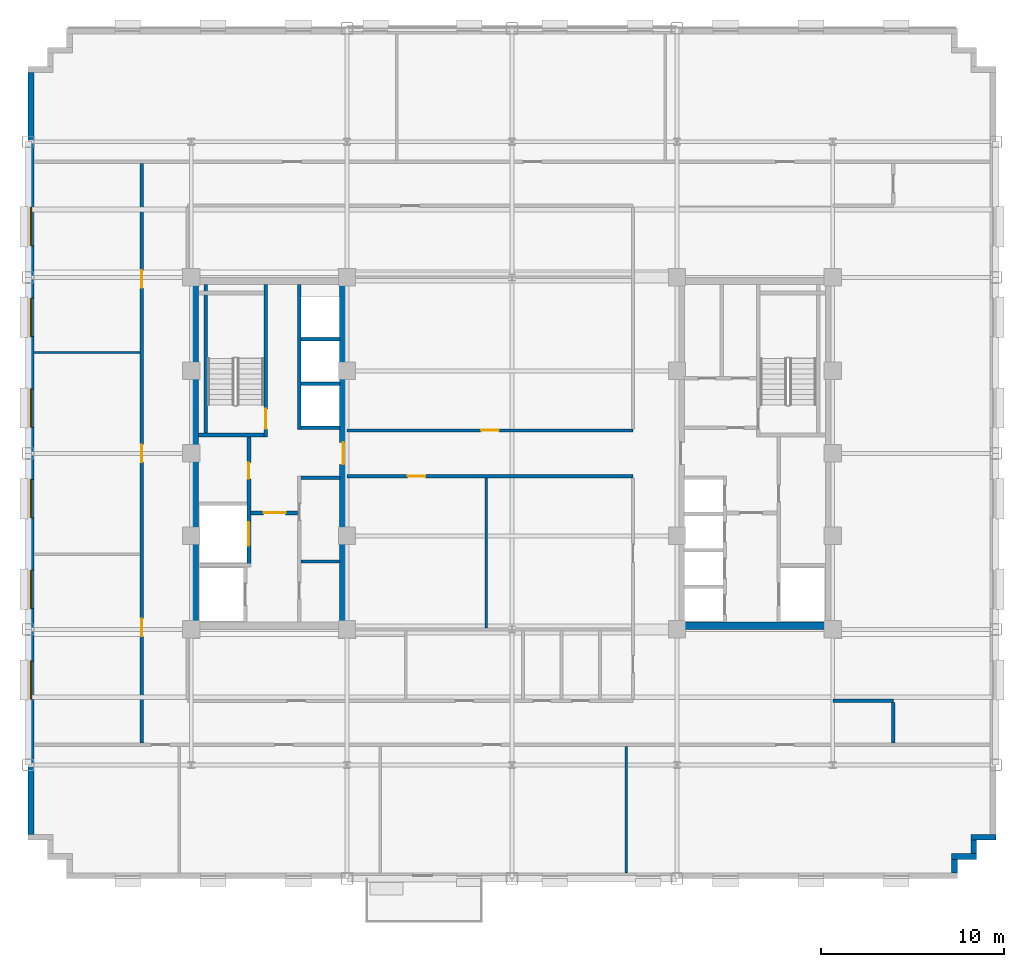
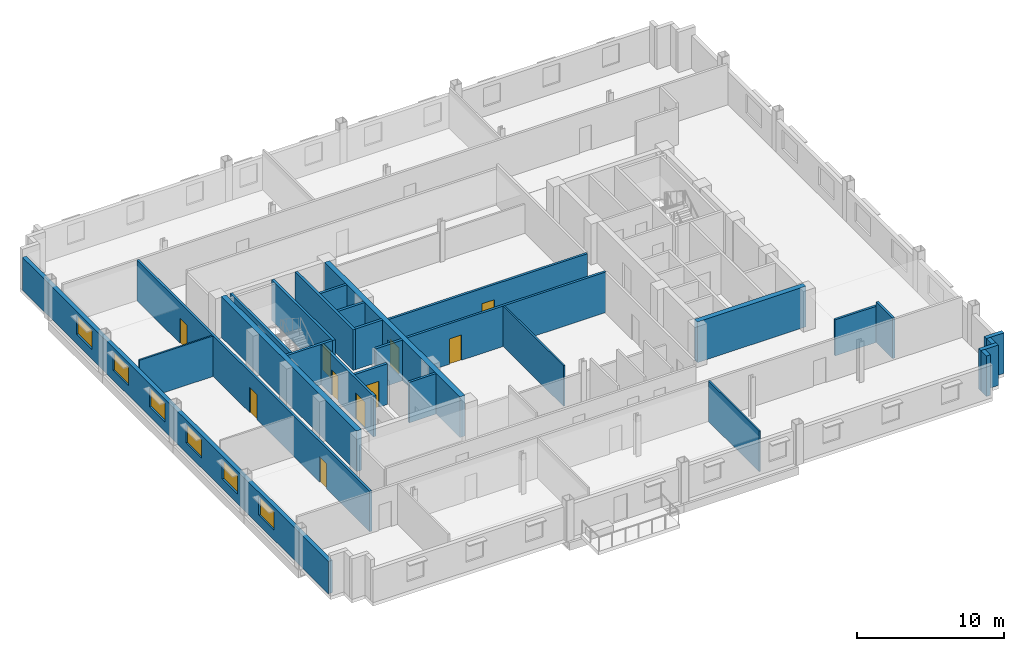
# One storey, part 7 of 13: 27 walls, 10 doors, 6 windows, 16 openings.
"""IFC4 building model written with IfcOpenShell, lengths in metres."""

from ifc_helpers import new_model, si_unit, direction, frame, frame_2d, origin, place, context, subcontext, project, spatial, rectangle, extrude, source, transform, mapped, material, layer, layer_set, type_object, type_shapes, element, fill, save


model = new_model("IFC4")

# Units and contexts
model_context = context("Model", 3, precision=1e-05, world=origin(), true_north=direction((0.0, 1.0)))
body_context = subcontext(model_context, "Body", "Model", "MODEL_VIEW")
ifc_project = project(units=[si_unit("LENGTHUNIT", "METRE"), si_unit("AREAUNIT", "SQUARE_METRE"), si_unit("VOLUMEUNIT", "CUBIC_METRE"), si_unit("PLANEANGLEUNIT", "RADIAN"), si_unit("MASSUNIT", "GRAM", prefix="KILO")], contexts=[model_context])

# Site, building, storey
site_placement = place(None, origin())
site = spatial("IfcSite", under=ifc_project, at=site_placement, CompositionType="ELEMENT")
building_placement = place(site_placement, origin())
building = spatial("IfcBuilding", under=site, at=building_placement, Name="Nuvemarco Arch Tower", CompositionType="ELEMENT")
storey_placement = place(building_placement, frame((0.0, 0.0, 156.699951171875)))
storey = spatial("IfcBuildingStorey", under=building, at=storey_placement, Name="L41", CompositionType="ELEMENT", Elevation=156.699951171875)

# Walls
ifc_material_1 = material(Name="Precast concrete C45/55", Category="concrete")
ifc_layer_1 = layer(ifc_material_1, 0.320068359375, Name="EW-MID-320")
ifc_layer_set_1 = layer_set([ifc_layer_1], Name="Precast concrete C45/55")
wall_type_1 = type_object("IfcWallType", Name="EW-MID-320", PredefinedType="STANDARD", material=ifc_layer_set_1)
wall_1_placement = place(storey_placement, frame((24.139892578125, -22.884033203125, 0.0), z_axis=(0.0, 0.0, 1.0), x_axis=(0.0, 1.0, 0.0)))
element("IfcWall", 1, at=wall_1_placement, inside=storey, type_object=wall_type_1, Name="L41 exterior precast facade wall 2", PredefinedType="STANDARD", context=body_context, shape_type="SweptSolid", body=[
    extrude(rectangle(XDim=0.738037109375, YDim=0.320068359375, at=frame_2d((0.369140625, 0.0))), origin(), (0.0, 0.0, 1.0), 3.360107421875),
])
wall_2_placement = place(storey_placement, frame((23.97998046875, -21.989990234375, 0.0), z_axis=(0.0, 0.0, 1.0), x_axis=(1.0, 0.0, 0.0)))
element("IfcWall", 2, at=wall_2_placement, inside=storey, type_object=wall_type_1, Name="L41 exterior precast facade wall 3", PredefinedType="STANDARD", context=body_context, shape_type="SweptSolid", body=[
    extrude(rectangle(XDim=1.3701171875, YDim=0.320068359375, at=frame_2d((0.68505859375, 0.0))), origin(), (0.0, 0.0, 1.0), 3.360107421875),
])
wall_3_placement = place(storey_placement, frame((25.18994140625, -21.833984375, 0.0), z_axis=(0.0, 0.0, 1.0), x_axis=(0.0, 1.0, 0.0)))
element("IfcWall", 3, at=wall_3_placement, inside=storey, type_object=wall_type_1, Name="L41 exterior precast facade wall 4", PredefinedType="STANDARD", context=body_context, shape_type="SweptSolid", body=[
    extrude(rectangle(XDim=0.738037109375, YDim=0.320068359375, at=frame_2d((0.369140625, 0.0))), origin(), (0.0, 0.0, 1.0), 3.360107421875),
])
wall_4_placement = place(storey_placement, frame((25.030029296875, -20.93994140625, 0.0), z_axis=(0.0, 0.0, 1.0), x_axis=(1.0, 0.0, 0.0)))
element("IfcWall", 4, at=wall_4_placement, inside=storey, type_object=wall_type_1, Name="L41 exterior precast facade wall 5", PredefinedType="STANDARD", context=body_context, shape_type="SweptSolid", body=[
    extrude(rectangle(XDim=1.369873046875, YDim=0.320068359375, at=frame_2d((0.68505859375, 0.0))), origin(), (0.0, 0.0, 1.0), 3.360107421875),
])

# Wall, openings, windows
wall_5_placement = place(storey_placement, frame((-26.239990234375, -20.783935546875, 0.0), z_axis=(0.0, 0.0, 1.0), x_axis=(0.0, 1.0, 0.0)))
wall_5 = element("IfcWall", 5, at=wall_5_placement, inside=storey, type_object=wall_type_1, Name="L41 exterior precast facade wall 16", PredefinedType="STANDARD", context=body_context, shape_type="SweptSolid", body=[
    extrude(rectangle(XDim=41.56787109375, YDim=0.320068359375, at=frame_2d((20.783935546875, 0.0))), origin(), (0.0, 0.0, 1.0), 2.705078125),
])
opening_1_placement = place(wall_5_placement, frame((7.368896484375, 0.0, 0.800048828125)))
opening_1 = element("IfcOpeningElement", 6, at=opening_1_placement, cuts=wall_5, Name="Opening WN-5", PredefinedType="OPENING", context=body_context, shape_type="SweptSolid", body=[
    extrude(rectangle(XDim=2.10009765625, YDim=1.56005859375, at=frame_2d((1.050048828125, 0.780029296875))), frame((0.0, 0.169921875, 0.0), z_axis=(0.0, -1.0, 0.0), x_axis=(1.0, 0.0, 0.0)), (0.0, 0.0, 1.0), 0.340087890625),
])
opening_2_placement = place(wall_5_placement, frame((12.31494140625, 0.0, 0.800048828125)))
opening_2 = element("IfcOpeningElement", 7, at=opening_2_placement, cuts=wall_5, Name="Opening WN-5", PredefinedType="OPENING", context=body_context, shape_type="SweptSolid", body=[
    extrude(rectangle(XDim=2.10009765625, YDim=1.56005859375, at=frame_2d((1.050048828125, 0.780029296875))), frame((0.0, 0.169921875, 0.0), z_axis=(0.0, -1.0, 0.0), x_axis=(1.0, 0.0, 0.0)), (0.0, 0.0, 1.0), 0.340087890625),
])
opening_3_placement = place(wall_5_placement, frame((17.260986328125, 0.0, 0.800048828125)))
opening_3 = element("IfcOpeningElement", 8, at=opening_3_placement, cuts=wall_5, Name="Opening WN-5", PredefinedType="OPENING", context=body_context, shape_type="SweptSolid", body=[
    extrude(rectangle(XDim=2.10009765625, YDim=1.56005859375, at=frame_2d((1.050048828125, 0.780029296875))), frame((0.0, 0.169921875, 0.0), z_axis=(0.0, -1.0, 0.0), x_axis=(1.0, 0.0, 0.0)), (0.0, 0.0, 1.0), 0.340087890625),
])
opening_4_placement = place(wall_5_placement, frame((22.20703125, 0.0, 0.800048828125)))
opening_4 = element("IfcOpeningElement", 9, at=opening_4_placement, cuts=wall_5, Name="Opening WN-5", PredefinedType="OPENING", context=body_context, shape_type="SweptSolid", body=[
    extrude(rectangle(XDim=2.10009765625, YDim=1.56005859375, at=frame_2d((1.050048828125, 0.780029296875))), frame((0.0, 0.169921875, 0.0), z_axis=(0.0, -1.0, 0.0), x_axis=(1.0, 0.0, 0.0)), (0.0, 0.0, 1.0), 0.340087890625),
])
opening_5_placement = place(wall_5_placement, frame((27.153076171875, 0.0, 0.800048828125)))
opening_5 = element("IfcOpeningElement", 10, at=opening_5_placement, cuts=wall_5, Name="Opening WN-5", PredefinedType="OPENING", context=body_context, shape_type="SweptSolid", body=[
    extrude(rectangle(XDim=2.10009765625, YDim=1.56005859375, at=frame_2d((1.050048828125, 0.780029296875))), frame((0.0, 0.169921875, 0.0), z_axis=(0.0, -1.0, 0.0), x_axis=(1.0, 0.0, 0.0)), (0.0, 0.0, 1.0), 0.340087890625),
])
opening_6_placement = place(wall_5_placement, frame((32.09912109375, 0.0, 0.800048828125)))
opening_6 = element("IfcOpeningElement", 11, at=opening_6_placement, cuts=wall_5, Name="Opening WN-5", PredefinedType="OPENING", context=body_context, shape_type="SweptSolid", body=[
    extrude(rectangle(XDim=2.10009765625, YDim=1.56005859375, at=frame_2d((1.050048828125, 0.780029296875))), frame((0.0, 0.169921875, 0.0), z_axis=(0.0, -1.0, 0.0), x_axis=(1.0, 0.0, 0.0)), (0.0, 0.0, 1.0), 0.340087890625),
])
ifc_material_2 = material(Name="Insulated solar-control glass", Category="glass")
window_type = type_object("IfcWindowType", Name="WN-MID-2100x1560", PartitioningType="DOUBLE_PANEL_VERTICAL", PredefinedType="WINDOW", material=ifc_material_2)
shared_shape_1 = source(origin(), body_context, "Body", "SweptSolid", [
    extrude(rectangle(XDim=2.10009765625, YDim=1.56005859375, at=frame_2d((1.050048828125, 0.780029296875))), frame((0.0, 0.030029296875, 0.0), z_axis=(0.0, -1.0, 0.0), x_axis=(1.0, 0.0, 0.0)), (0.0, 0.0, 1.0), 0.06005859375),
])
type_shapes(window_type, [shared_shape_1])
window_1_placement = place(opening_1_placement, origin())
window_1 = element("IfcWindow", 12, at=window_1_placement, inside=storey, type_object=window_type, Name="L41 punched facade window 2", OverallHeight=1.56005859375, OverallWidth=2.10009765625, PartitioningType="SINGLE_PANEL", PredefinedType="WINDOW", context=body_context, shape_type="MappedRepresentation", body=[
    mapped(shared_shape_1, transform((0.0, 0.0, 0.0), scale=1.0)),
])
fill(opening_1, window_1)
window_2_placement = place(opening_2_placement, origin())
window_2 = element("IfcWindow", 13, at=window_2_placement, inside=storey, type_object=window_type, Name="L41 punched facade window 3", OverallHeight=1.56005859375, OverallWidth=2.10009765625, PartitioningType="SINGLE_PANEL", PredefinedType="WINDOW", context=body_context, shape_type="MappedRepresentation", body=[
    mapped(shared_shape_1, transform((0.0, 0.0, 0.0), scale=1.0)),
])
fill(opening_2, window_2)
window_3_placement = place(opening_3_placement, origin())
window_3 = element("IfcWindow", 14, at=window_3_placement, inside=storey, type_object=window_type, Name="L41 punched facade window 4", OverallHeight=1.56005859375, OverallWidth=2.10009765625, PartitioningType="SINGLE_PANEL", PredefinedType="WINDOW", context=body_context, shape_type="MappedRepresentation", body=[
    mapped(shared_shape_1, transform((0.0, 0.0, 0.0), scale=1.0)),
])
fill(opening_3, window_3)
window_4_placement = place(opening_4_placement, origin())
window_4 = element("IfcWindow", 15, at=window_4_placement, inside=storey, type_object=window_type, Name="L41 punched facade window 5", OverallHeight=1.56005859375, OverallWidth=2.10009765625, PartitioningType="SINGLE_PANEL", PredefinedType="WINDOW", context=body_context, shape_type="MappedRepresentation", body=[
    mapped(shared_shape_1, transform((0.0, 0.0, 0.0), scale=1.0)),
])
fill(opening_4, window_4)
window_5_placement = place(opening_5_placement, origin())
window_5 = element("IfcWindow", 16, at=window_5_placement, inside=storey, type_object=window_type, Name="L41 punched facade window 6", OverallHeight=1.56005859375, OverallWidth=2.10009765625, PartitioningType="SINGLE_PANEL", PredefinedType="WINDOW", context=body_context, shape_type="MappedRepresentation", body=[
    mapped(shared_shape_1, transform((0.0, 0.0, 0.0), scale=1.0)),
])
fill(opening_5, window_5)
window_6_placement = place(opening_6_placement, origin())
window_6 = element("IfcWindow", 17, at=window_6_placement, inside=storey, type_object=window_type, Name="L41 punched facade window 7", OverallHeight=1.56005859375, OverallWidth=2.10009765625, PartitioningType="SINGLE_PANEL", PredefinedType="WINDOW", context=body_context, shape_type="MappedRepresentation", body=[
    mapped(shared_shape_1, transform((0.0, 0.0, 0.0), scale=1.0)),
])
fill(opening_6, window_6)

# Wall
ifc_material_3 = material(Name="Concrete C60/75", Category="concrete")
ifc_layer_2 = layer(ifc_material_3, 0.39990234375, Name="WL-CORE-400")
ifc_layer_set_2 = layer_set([ifc_layer_2], Name="Concrete C60/75")
wall_type_2 = type_object("IfcWallType", Name="WL-CORE-400", PredefinedType="SHEAR", material=ifc_layer_set_2)
wall_6_placement = place(storey_placement, frame((-17.300048828125, -9.205078125, 0.0), z_axis=(0.0, 0.0, 1.0), x_axis=(0.0, 1.0, 0.0)))
element("IfcWall", 18, at=wall_6_placement, inside=storey, type_object=wall_type_2, Name="L41 W-core shear wall W", PredefinedType="SHEAR", context=body_context, shape_type="SweptSolid", body=[
    extrude(rectangle(XDim=18.41015625, YDim=0.39990234375, at=frame_2d((9.205078125, 0.0))), origin(), (0.0, 0.0, 1.0), 3.3701171875),
])

# Wall, opening, door
wall_7_placement = place(storey_placement, frame((-9.199951171875, -9.205078125, 0.0), z_axis=(0.0, 0.0, 1.0), x_axis=(0.0, 1.0, 0.0)))
wall_7 = element("IfcWall", 19, at=wall_7_placement, inside=storey, type_object=wall_type_2, Name="L41 W-core shear wall E", PredefinedType="SHEAR", context=body_context, shape_type="SweptSolid", body=[
    extrude(rectangle(XDim=18.41015625, YDim=0.39990234375, at=frame_2d((9.205078125, 0.0))), origin(), (0.0, 0.0, 1.0), 3.3701171875),
])
opening_7_placement = place(wall_7_placement, frame((8.60498046875, 0.0, 0.0)))
opening_7 = element("IfcOpeningElement", 20, at=opening_7_placement, cuts=wall_7, Name="Opening FD-2", PredefinedType="OPENING", context=body_context, shape_type="SweptSolid", body=[
    extrude(rectangle(XDim=1.199951171875, YDim=2.14990234375, at=frame_2d((0.60009765625, 1.074951171875))), frame((0.0, 0.2099609375, 0.0), z_axis=(0.0, -1.0, 0.0), x_axis=(1.0, 0.0, 0.0)), (0.0, 0.0, 1.0), 0.419921875),
])
ifc_material_4 = material(Name="Anodised steel fire door", Category="steel")
door_type_1 = type_object("IfcDoorType", Name="DR-FFLOB-FD", OperationType="NOTDEFINED", PredefinedType="DOOR", material=ifc_material_4)
shared_shape_2 = source(origin(), body_context, "Body", "SweptSolid", [
    extrude(rectangle(XDim=1.199951171875, YDim=2.14990234375, at=frame_2d((0.60009765625, 1.074951171875))), frame((0.0, 0.02490234375, 0.0), z_axis=(0.0, -1.0, 0.0), x_axis=(1.0, 0.0, 0.0)), (0.0, 0.0, 1.0), 0.050048828125),
])
type_shapes(door_type_1, [shared_shape_2])
door_1_placement = place(opening_7_placement, origin())
door_1 = element("IfcDoor", 21, at=door_1_placement, inside=storey, type_object=door_type_1, Name="L41 door FD-L41-WCORE-E", OperationType="SINGLE_SWING_LEFT", OverallHeight=2.14990234375, OverallWidth=1.199951171875, PredefinedType="DOOR", context=body_context, shape_type="MappedRepresentation", body=[
    mapped(shared_shape_2, transform((0.0, 0.0, 0.0), scale=1.0)),
])
fill(opening_7, door_1)

# Walls
wall_8_placement = place(storey_placement, frame((9.0, -9.39990234375, 0.0), z_axis=(0.0, 0.0, 1.0), x_axis=(1.0, 0.0, 0.0)))
element("IfcWall", 22, at=wall_8_placement, inside=storey, type_object=wall_type_2, Name="L41 E-core shear wall S", PredefinedType="SHEAR", context=body_context, shape_type="SweptSolid", body=[
    extrude(rectangle(XDim=8.5, YDim=0.39990234375, at=frame_2d((4.25, 0.0))), origin(), (0.0, 0.0, 1.0), 3.3701171875),
])
ifc_material_5 = material(Name="Fire-rated gypsum drywall partition")
ifc_layer_3 = layer(ifc_material_5, 0.179931640625, Name="WL-CORR-180")
ifc_layer_set_3 = layer_set([ifc_layer_3], Name="Fire-rated gypsum drywall partition")
wall_type_3 = type_object("IfcWallType", Name="WL-CORR-180", PredefinedType="PARTITIONING", material=ifc_layer_set_3)
wall_9_placement = place(storey_placement, frame((-11.5048828125, -5.89990234375, 0.0), z_axis=(0.0, 0.0, 1.0), x_axis=(1.0, 0.0, 0.0)))
element("IfcWall", 23, at=wall_9_placement, inside=storey, type_object=wall_type_3, Name="L41 interior wall IW-L41-W-RECK3", PredefinedType="PARTITIONING", context=body_context, shape_type="SweptSolid", body=[
    extrude(rectangle(XDim=2.10986328125, YDim=0.179931640625, at=frame_2d((1.054931640625, 0.0))), origin(), (0.0, 0.0, 1.0), 3.360107421875),
])
wall_10_placement = place(storey_placement, frame((17.5, -13.5, 0.0), z_axis=(0.0, 0.0, 1.0), x_axis=(1.0, 0.0, 0.0)))
element("IfcWall", 24, at=wall_10_placement, inside=storey, type_object=wall_type_3, Name="L41 interior wall IW-L41-003", PredefinedType="PARTITIONING", context=body_context, shape_type="SweptSolid", body=[
    extrude(rectangle(XDim=3.300048828125, YDim=0.179931640625, at=frame_2d((1.64990234375, 0.0))), origin(), (0.0, 0.0, 1.0), 2.998046875),
])

# Wall, opening, door
wall_11_placement = place(storey_placement, frame((-9.0, -1.25, 0.0), z_axis=(0.0, 0.0, 1.0), x_axis=(1.0, 0.0, 0.0)))
wall_11 = element("IfcWall", 25, at=wall_11_placement, inside=storey, type_object=wall_type_3, Name="L41 interior wall IW-L41-007", PredefinedType="PARTITIONING", context=body_context, shape_type="SweptSolid", body=[
    extrude(rectangle(XDim=15.60009765625, YDim=0.179931640625, at=frame_2d((7.800048828125, 0.0))), origin(), (0.0, 0.0, 1.0), 3.360107421875),
])
opening_8_placement = place(wall_11_placement, frame((3.320068359375, 0.0, 0.0)))
opening_8 = element("IfcOpeningElement", 26, at=opening_8_placement, cuts=wall_11, Name="Opening FD-5", PredefinedType="OPENING", context=body_context, shape_type="SweptSolid", body=[
    extrude(rectangle(XDim=0.9599609375, YDim=2.10009765625, at=frame_2d((0.47998046875, 1.050048828125))), frame((0.0, 0.099853515625, 0.0), z_axis=(0.0, -1.0, 0.0), x_axis=(1.0, 0.0, 0.0)), (0.0, 0.0, 1.0), 0.199951171875),
])
ifc_material_6 = material(Name="Timber fire door", Category="wood")
door_type_2 = type_object("IfcDoorType", Name="DR-CORR-FD", OperationType="NOTDEFINED", PredefinedType="DOOR", material=ifc_material_6)
shared_shape_3 = source(origin(), body_context, "Body", "SweptSolid", [
    extrude(rectangle(XDim=0.9599609375, YDim=2.10009765625, at=frame_2d((0.47998046875, 1.050048828125))), frame((0.0, 0.02490234375, 0.0), z_axis=(0.0, -1.0, 0.0), x_axis=(1.0, 0.0, 0.0)), (0.0, 0.0, 1.0), 0.050048828125),
])
type_shapes(door_type_2, [shared_shape_3])
door_2_placement = place(opening_8_placement, origin())
door_2 = element("IfcDoor", 27, at=door_2_placement, inside=storey, type_object=door_type_2, Name="L41 door DR-L41-C_S1", OperationType="SINGLE_SWING_LEFT", OverallHeight=2.10009765625, OverallWidth=0.9599609375, PredefinedType="DOOR", context=body_context, shape_type="MappedRepresentation", body=[
    mapped(shared_shape_3, transform((0.0, 0.0, 0.0), scale=1.0)),
])
fill(opening_8, door_2)

wall_12_placement = place(storey_placement, frame((-9.0, 1.25, 0.0), z_axis=(0.0, 0.0, 1.0), x_axis=(1.0, 0.0, 0.0)))
wall_12 = element("IfcWall", 28, at=wall_12_placement, inside=storey, type_object=wall_type_3, Name="L41 interior wall IW-L41-008", PredefinedType="PARTITIONING", context=body_context, shape_type="SweptSolid", body=[
    extrude(rectangle(XDim=15.60009765625, YDim=0.179931640625, at=frame_2d((7.800048828125, 0.0))), origin(), (0.0, 0.0, 1.0), 3.360107421875),
])
opening_9_placement = place(wall_12_placement, frame((7.320068359375, 0.0, 0.0)))
opening_9 = element("IfcOpeningElement", 29, at=opening_9_placement, cuts=wall_12, Name="Opening FD-5", PredefinedType="OPENING", context=body_context, shape_type="SweptSolid", body=[
    extrude(rectangle(XDim=0.9599609375, YDim=2.10009765625, at=frame_2d((0.47998046875, 1.050048828125))), frame((0.0, 0.099853515625, 0.0), z_axis=(0.0, -1.0, 0.0), x_axis=(1.0, 0.0, 0.0)), (0.0, 0.0, 1.0), 0.199951171875),
])
door_3_placement = place(opening_9_placement, origin())
door_3 = element("IfcDoor", 30, at=door_3_placement, inside=storey, type_object=door_type_2, Name="L41 door DR-L41-C_N1", OperationType="SINGLE_SWING_LEFT", OverallHeight=2.10009765625, OverallWidth=0.9599609375, PredefinedType="DOOR", context=body_context, shape_type="MappedRepresentation", body=[
    mapped(shared_shape_3, transform((0.0, 0.0, 0.0), scale=1.0)),
])
fill(opening_9, door_3)

# Wall, openings, doors
wall_13_placement = place(storey_placement, frame((-20.199951171875, -15.81396484375, 0.0), z_axis=(0.0, 0.0, 1.0), x_axis=(0.0, 1.0, 0.0)))
wall_13 = element("IfcWall", 31, at=wall_13_placement, inside=storey, type_object=wall_type_3, Name="L41 interior wall IW-L41-015", PredefinedType="PARTITIONING", context=body_context, shape_type="SweptSolid", body=[
    extrude(rectangle(XDim=31.6279296875, YDim=0.179931640625, at=frame_2d((15.81396484375, 0.0))), origin(), (0.0, 0.0, 1.0), 3.360107421875),
])
opening_10_placement = place(wall_13_placement, frame((15.333984375, 0.0, 0.0)))
opening_10 = element("IfcOpeningElement", 32, at=opening_10_placement, cuts=wall_13, Name="Opening FD-5", PredefinedType="OPENING", context=body_context, shape_type="SweptSolid", body=[
    extrude(rectangle(XDim=0.9599609375, YDim=2.10009765625, at=frame_2d((0.47998046875, 1.050048828125))), frame((0.0, 0.099853515625, 0.0), z_axis=(0.0, -1.0, 0.0), x_axis=(1.0, 0.0, 0.0)), (0.0, 0.0, 1.0), 0.199951171875),
])
opening_11_placement = place(wall_13_placement, frame((5.833984375, 0.0, 0.0)))
opening_11 = element("IfcOpeningElement", 33, at=opening_11_placement, cuts=wall_13, Name="Opening FD-5", PredefinedType="OPENING", context=body_context, shape_type="SweptSolid", body=[
    extrude(rectangle(XDim=0.9599609375, YDim=2.10009765625, at=frame_2d((0.47998046875, 1.050048828125))), frame((0.0, 0.099853515625, 0.0), z_axis=(0.0, -1.0, 0.0), x_axis=(1.0, 0.0, 0.0)), (0.0, 0.0, 1.0), 0.199951171875),
])
opening_12_placement = place(wall_13_placement, frame((24.833984375, 0.0, 0.0)))
opening_12 = element("IfcOpeningElement", 34, at=opening_12_placement, cuts=wall_13, Name="Opening FD-5", PredefinedType="OPENING", context=body_context, shape_type="SweptSolid", body=[
    extrude(rectangle(XDim=0.9599609375, YDim=2.10009765625, at=frame_2d((0.47998046875, 1.050048828125))), frame((0.0, 0.099853515625, 0.0), z_axis=(0.0, -1.0, 0.0), x_axis=(1.0, 0.0, 0.0)), (0.0, 0.0, 1.0), 0.199951171875),
])
door_4_placement = place(opening_10_placement, origin())
door_4 = element("IfcDoor", 35, at=door_4_placement, inside=storey, type_object=door_type_2, Name="L41 door DR-L41-W_2", OperationType="SINGLE_SWING_RIGHT", OverallHeight=2.10009765625, OverallWidth=0.9599609375, PredefinedType="DOOR", context=body_context, shape_type="MappedRepresentation", body=[
    mapped(shared_shape_3, transform((0.0, 0.0, 0.0), scale=1.0)),
])
fill(opening_10, door_4)
door_5_placement = place(opening_11_placement, origin())
door_5 = element("IfcDoor", 36, at=door_5_placement, inside=storey, type_object=door_type_2, Name="L41 door DR-L41-W_1", OperationType="SINGLE_SWING_LEFT", OverallHeight=2.10009765625, OverallWidth=0.9599609375, PredefinedType="DOOR", context=body_context, shape_type="MappedRepresentation", body=[
    mapped(shared_shape_3, transform((0.0, 0.0, 0.0), scale=1.0)),
])
fill(opening_11, door_5)
door_6_placement = place(opening_12_placement, origin())
door_6 = element("IfcDoor", 37, at=door_6_placement, inside=storey, type_object=door_type_2, Name="L41 door DR-L41-W_3", OperationType="SINGLE_SWING_RIGHT", OverallHeight=2.10009765625, OverallWidth=0.9599609375, PredefinedType="DOOR", context=body_context, shape_type="MappedRepresentation", body=[
    mapped(shared_shape_3, transform((0.0, 0.0, 0.0), scale=1.0)),
])
fill(opening_12, door_6)

# Walls
wall_14_placement = place(storey_placement, frame((20.800048828125, -15.81396484375, 0.0), z_axis=(0.0, 0.0, 1.0), x_axis=(0.0, 1.0, 0.0)))
element("IfcWall", 38, at=wall_14_placement, inside=storey, type_object=wall_type_3, Name="L41 interior wall IW-L41-030", PredefinedType="PARTITIONING", context=body_context, shape_type="SweptSolid", body=[
    extrude(rectangle(XDim=2.22802734375, YDim=0.179931640625, at=frame_2d((1.114013671875, 0.0))), origin(), (0.0, 0.0, 1.0), 3.360107421875),
])
ifc_material_7 = material(Name="Glazed acoustic office partition")
ifc_layer_4 = layer(ifc_material_7, 0.1298828125, Name="WL-EXEC-130")
ifc_layer_set_4 = layer_set([ifc_layer_4], Name="Glazed acoustic office partition")
wall_type_4 = type_object("IfcWallType", Name="WL-EXEC-130", PredefinedType="PARTITIONING", material=ifc_layer_set_4)
wall_15_placement = place(storey_placement, frame((-26.080078125, 5.5, 0.0), z_axis=(0.0, 0.0, 1.0), x_axis=(1.0, 0.0, 0.0)))
element("IfcWall", 39, at=wall_15_placement, inside=storey, type_object=wall_type_4, Name="L41 interior wall IW-L41-009", PredefinedType="PARTITIONING", context=body_context, shape_type="SweptSolid", body=[
    extrude(rectangle(XDim=5.794189453125, YDim=0.1298828125, at=frame_2d((2.89697265625, 0.0))), origin(), (0.0, 0.0, 1.0), 3.360107421875),
])
wall_16_placement = place(storey_placement, frame((-1.39990234375, -9.52392578125, 0.0), z_axis=(0.0, 0.0, 1.0), x_axis=(0.0, 1.0, 0.0)))
element("IfcWall", 40, at=wall_16_placement, inside=storey, type_object=wall_type_4, Name="L41 interior wall IW-L41-022", PredefinedType="PARTITIONING", context=body_context, shape_type="SweptSolid", body=[
    extrude(rectangle(XDim=8.18798828125, YDim=0.1298828125, at=frame_2d((4.093994140625, 0.0))), origin(), (0.0, 0.0, 1.0), 3.360107421875),
])
wall_17_placement = place(storey_placement, frame((6.22998046875, -22.8798828125, 0.0), z_axis=(0.0, 0.0, 1.0), x_axis=(0.0, 1.0, 0.0)))
element("IfcWall", 41, at=wall_17_placement, inside=storey, type_object=wall_type_4, Name="L41 interior wall IW-L41-026", PredefinedType="PARTITIONING", context=body_context, shape_type="SweptSolid", body=[
    extrude(rectangle(XDim=6.893798828125, YDim=0.1298828125, at=frame_2d((3.44677734375, 0.0))), origin(), (0.0, 0.0, 1.0), 3.360107421875),
])

# Wall, opening, door
ifc_material_8 = material(Name="Concrete C50/60", Category="concrete")
ifc_layer_5 = layer(ifc_material_8, 0.199951171875, Name="WL-SHAFT-220")
ifc_layer_set_5 = layer_set([ifc_layer_5], Name="Concrete C50/60")
wall_type_5 = type_object("IfcWallType", Name="WL-SHAFT-220", PredefinedType="SHEAR", material=ifc_layer_set_5)
wall_18_placement = place(storey_placement, frame((-13.43994140625, 0.89990234375, 0.0), z_axis=(0.0, 0.0, 1.0), x_axis=(0.0, 1.0, 0.0)))
wall_18 = element("IfcWall", 42, at=wall_18_placement, inside=storey, type_object=wall_type_5, Name="L41 structural shaft wall SW-L41-W-ST1E", PredefinedType="SHEAR", context=body_context, shape_type="SweptSolid", body=[
    extrude(rectangle(XDim=8.30517578125, YDim=0.199951171875, at=frame_2d((4.152587890625, 0.0))), origin(), (0.0, 0.0, 1.0), 3.3701171875),
])
opening_13_placement = place(wall_18_placement, frame((1.530029296875, 0.0, 0.0), z_axis=(0.0, 0.0, 1.0), x_axis=(-1.0, 0.0, 0.0)))
opening_13 = element("IfcOpeningElement", 43, at=opening_13_placement, cuts=wall_18, Name="Opening FD-1", PredefinedType="OPENING", context=body_context, shape_type="SweptSolid", body=[
    extrude(rectangle(XDim=1.10009765625, YDim=2.14990234375, at=frame_2d((0.550048828125, 1.074951171875))), frame((0.0, 0.10986328125, 0.0), z_axis=(0.0, -1.0, 0.0), x_axis=(1.0, 0.0, 0.0)), (0.0, 0.0, 1.0), 0.219970703125),
])
door_type_3 = type_object("IfcDoorType", Name="DR-STAIR-FD", OperationType="NOTDEFINED", PredefinedType="DOOR", material=ifc_material_4)
shared_shape_4 = source(origin(), body_context, "Body", "SweptSolid", [
    extrude(rectangle(XDim=1.10009765625, YDim=2.14990234375, at=frame_2d((0.550048828125, 1.074951171875))), frame((0.0, 0.02490234375, 0.0), z_axis=(0.0, -1.0, 0.0), x_axis=(1.0, 0.0, 0.0)), (0.0, 0.0, 1.0), 0.050048828125),
])
type_shapes(door_type_3, [shared_shape_4])
door_7_placement = place(opening_13_placement, origin())
door_7 = element("IfcDoor", 44, at=door_7_placement, inside=storey, type_object=door_type_3, Name="L41 door FD-L41-ST1", OperationType="SINGLE_SWING_LEFT", OverallHeight=2.14990234375, OverallWidth=1.10009765625, PredefinedType="DOOR", context=body_context, shape_type="MappedRepresentation", body=[
    mapped(shared_shape_4, transform((0.0, 0.0, 0.0), scale=1.0)),
])
fill(opening_13, door_7)

# Walls
wall_19_placement = place(storey_placement, frame((-17.10498046875, 1.0, 0.0), z_axis=(0.0, 0.0, 1.0), x_axis=(1.0, 0.0, 0.0)))
element("IfcWall", 45, at=wall_19_placement, inside=storey, type_object=wall_type_5, Name="L41 structural shaft wall SW-L41-W-ST1S", PredefinedType="SHEAR", context=body_context, shape_type="SweptSolid", body=[
    extrude(rectangle(XDim=3.570068359375, YDim=0.199951171875, at=frame_2d((1.78515625, 0.0))), origin(), (0.0, 0.0, 1.0), 3.3701171875),
])
wall_20_placement = place(storey_placement, frame((-16.699951171875, 1.094970703125, 0.0), z_axis=(0.0, 0.0, 1.0), x_axis=(0.0, 1.0, 0.0)))
element("IfcWall", 46, at=wall_20_placement, inside=storey, type_object=wall_type_5, Name="L41 structural shaft wall SW-L41-W-ST1W", PredefinedType="SHEAR", context=body_context, shape_type="SweptSolid", body=[
    extrude(rectangle(XDim=8.110107421875, YDim=0.199951171875, at=frame_2d((4.05517578125, 0.0))), origin(), (0.0, 0.0, 1.0), 3.3701171875),
])

# Wall, openings, doors
wall_21_placement = place(storey_placement, frame((-14.35009765625, -6.199951171875, 0.0), z_axis=(0.0, 0.0, 1.0), x_axis=(0.0, 1.0, 0.0)))
wall_21 = element("IfcWall", 47, at=wall_21_placement, inside=storey, type_object=wall_type_5, Name="L41 structural shaft wall SW-L41-W-SVE", PredefinedType="SHEAR", context=body_context, shape_type="SweptSolid", body=[
    extrude(rectangle(XDim=7.10498046875, YDim=0.199951171875, at=frame_2d((3.552490234375, 0.0))), origin(), (0.0, 0.0, 1.0), 3.3701171875),
])
opening_14_placement = place(wall_21_placement, frame((5.68994140625, 0.0, 0.0), z_axis=(0.0, 0.0, 1.0), x_axis=(-1.0, 0.0, 0.0)))
opening_14 = element("IfcOpeningElement", 48, at=opening_14_placement, cuts=wall_21, Name="Opening FD-4", PredefinedType="OPENING", context=body_context, shape_type="SweptSolid", body=[
    extrude(rectangle(XDim=0.8798828125, YDim=2.10009765625, at=frame_2d((0.43994140625, 1.050048828125))), frame((0.0, 0.10986328125, 0.0), z_axis=(0.0, -1.0, 0.0), x_axis=(1.0, 0.0, 0.0)), (0.0, 0.0, 1.0), 0.219970703125),
])
opening_15_placement = place(wall_21_placement, frame((1.14990234375, 0.0, 0.0)))
opening_15 = element("IfcOpeningElement", 49, at=opening_15_placement, cuts=wall_21, Name="Opening LD-3", PredefinedType="OPENING", context=body_context, shape_type="SweptSolid", body=[
    extrude(rectangle(XDim=1.300048828125, YDim=2.199951171875, at=frame_2d((0.64990234375, 1.10009765625))), frame((0.0, 0.10986328125, 0.0), z_axis=(0.0, -1.0, 0.0), x_axis=(1.0, 0.0, 0.0)), (0.0, 0.0, 1.0), 0.219970703125),
])
door_type_4 = type_object("IfcDoorType", Name="DR-RISER-FD", OperationType="NOTDEFINED", PredefinedType="DOOR", material=ifc_material_4)
shared_shape_5 = source(origin(), body_context, "Body", "SweptSolid", [
    extrude(rectangle(XDim=0.8798828125, YDim=2.10009765625, at=frame_2d((0.43994140625, 1.050048828125))), frame((0.0, 0.02490234375, 0.0), z_axis=(0.0, -1.0, 0.0), x_axis=(1.0, 0.0, 0.0)), (0.0, 0.0, 1.0), 0.050048828125),
])
type_shapes(door_type_4, [shared_shape_5])
door_8_placement = place(opening_14_placement, origin())
door_8 = element("IfcDoor", 50, at=door_8_placement, inside=storey, type_object=door_type_4, Name="L41 door FD-L41-WRIS", OperationType="SINGLE_SWING_LEFT", OverallHeight=2.10009765625, OverallWidth=0.8798828125, PredefinedType="DOOR", context=body_context, shape_type="MappedRepresentation", body=[
    mapped(shared_shape_5, transform((0.0, 0.0, 0.0), scale=1.0)),
])
fill(opening_14, door_8)
ifc_material_9 = material(Name="Stainless steel lift door", Category="steel")
door_type_5 = type_object("IfcDoorType", Name="DR-LIFT-SERV", OperationType="DOUBLE_DOOR_SLIDING", PredefinedType="DOOR", material=ifc_material_9)
shared_shape_6 = source(origin(), body_context, "Body", "SweptSolid", [
    extrude(rectangle(XDim=1.300048828125, YDim=2.199951171875, at=frame_2d((0.64990234375, 1.10009765625))), frame((0.0, 0.02490234375, 0.0), z_axis=(0.0, -1.0, 0.0), x_axis=(1.0, 0.0, 0.0)), (0.0, 0.0, 1.0), 0.050048828125),
])
type_shapes(door_type_5, [shared_shape_6])
door_9_placement = place(opening_15_placement, origin())
door_9 = element("IfcDoor", 51, at=door_9_placement, inside=storey, type_object=door_type_5, Name="L41 Lift landing sliding door SVL-1", OperationType="DOUBLE_DOOR_SLIDING", OverallHeight=2.199951171875, OverallWidth=1.300048828125, PredefinedType="DOOR", context=body_context, shape_type="MappedRepresentation", body=[
    mapped(shared_shape_6, transform((0.0, 0.0, 0.0), scale=1.0)),
])
fill(opening_15, door_9)

# Wall, opening, door
wall_22_placement = place(storey_placement, frame((-14.2548828125, -3.25, 0.0), z_axis=(0.0, 0.0, 1.0), x_axis=(1.0, 0.0, 0.0)))
wall_22 = element("IfcWall", 52, at=wall_22_placement, inside=storey, type_object=wall_type_5, Name="L41 structural shaft wall SW-L41-W-FFN", PredefinedType="SHEAR", context=body_context, shape_type="SweptSolid", body=[
    extrude(rectangle(XDim=2.559814453125, YDim=0.199951171875, at=frame_2d((1.27978515625, 0.0))), origin(), (0.0, 0.0, 1.0), 3.3701171875),
])
opening_16_placement = place(wall_22_placement, frame((0.705078125, 0.0, 0.0)))
opening_16 = element("IfcOpeningElement", 53, at=opening_16_placement, cuts=wall_22, Name="Opening FD-2", PredefinedType="OPENING", context=body_context, shape_type="SweptSolid", body=[
    extrude(rectangle(XDim=1.199951171875, YDim=2.14990234375, at=frame_2d((0.60009765625, 1.074951171875))), frame((0.0, 0.10986328125, 0.0), z_axis=(0.0, -1.0, 0.0), x_axis=(1.0, 0.0, 0.0)), (0.0, 0.0, 1.0), 0.219970703125),
])
door_10_placement = place(opening_16_placement, origin())
door_10 = element("IfcDoor", 54, at=door_10_placement, inside=storey, type_object=door_type_1, Name="L41 door FD-L41-WFF1", OperationType="SINGLE_SWING_LEFT", OverallHeight=2.14990234375, OverallWidth=1.199951171875, PredefinedType="DOOR", context=body_context, shape_type="MappedRepresentation", body=[
    mapped(shared_shape_2, transform((0.0, 0.0, 0.0), scale=1.0)),
])
fill(opening_16, door_10)

# Walls
wall_23_placement = place(storey_placement, frame((-11.5048828125, -1.330078125, 0.0), z_axis=(0.0, 0.0, 1.0), x_axis=(1.0, 0.0, 0.0)))
element("IfcWall", 55, at=wall_23_placement, inside=storey, type_object=wall_type_5, Name="L41 structural shaft wall SW-L41-W-PLTOP", PredefinedType="SHEAR", context=body_context, shape_type="SweptSolid", body=[
    extrude(rectangle(XDim=2.10986328125, YDim=0.199951171875, at=frame_2d((1.054931640625, 0.0))), origin(), (0.0, 0.0, 1.0), 3.3701171875),
])
wall_24_placement = place(storey_placement, frame((-11.60009765625, 1.300048828125, 0.0), z_axis=(0.0, 0.0, 1.0), x_axis=(0.0, 1.0, 0.0)))
element("IfcWall", 56, at=wall_24_placement, inside=storey, type_object=wall_type_5, Name="L41 structural shaft wall SW-L41-W-PHW", PredefinedType="SHEAR", context=body_context, shape_type="SweptSolid", body=[
    extrude(rectangle(XDim=7.905029296875, YDim=0.199951171875, at=frame_2d((3.95263671875, 0.0))), origin(), (0.0, 0.0, 1.0), 3.3701171875),
])
for number, where, z_axis, x_axis, name in (
    (57, (-11.5048828125, 1.39990234375, 0.0), (0.0, 0.0, 1.0), (1.0, 0.0, 0.0), "L41 structural shaft wall SW-L41-W-PHD1"),
    (58, (-11.5048828125, 3.800048828125, 0.0), (0.0, 0.0, 1.0), (1.0, 0.0, 0.0), "L41 structural shaft wall SW-L41-W-PHD2"),
    (59, (-11.5048828125, 6.219970703125, 0.0), (0.0, 0.0, 1.0), (1.0, 0.0, 0.0), "L41 structural shaft wall SW-L41-W-PHD3"),
):
    element("IfcWall", number, at=place(storey_placement, frame(where, z_axis=z_axis, x_axis=x_axis)), inside=storey, type_object=wall_type_5, Name=name, PredefinedType="SHEAR", context=body_context, shape_type="SweptSolid", body=[
        extrude(rectangle(XDim=2.10986328125, YDim=0.199951171875, at=frame_2d((1.054931640625, 0.0))), origin(), (0.0, 0.0, 1.0), 3.3701171875),
    ])

save(model, "model.ifc")
